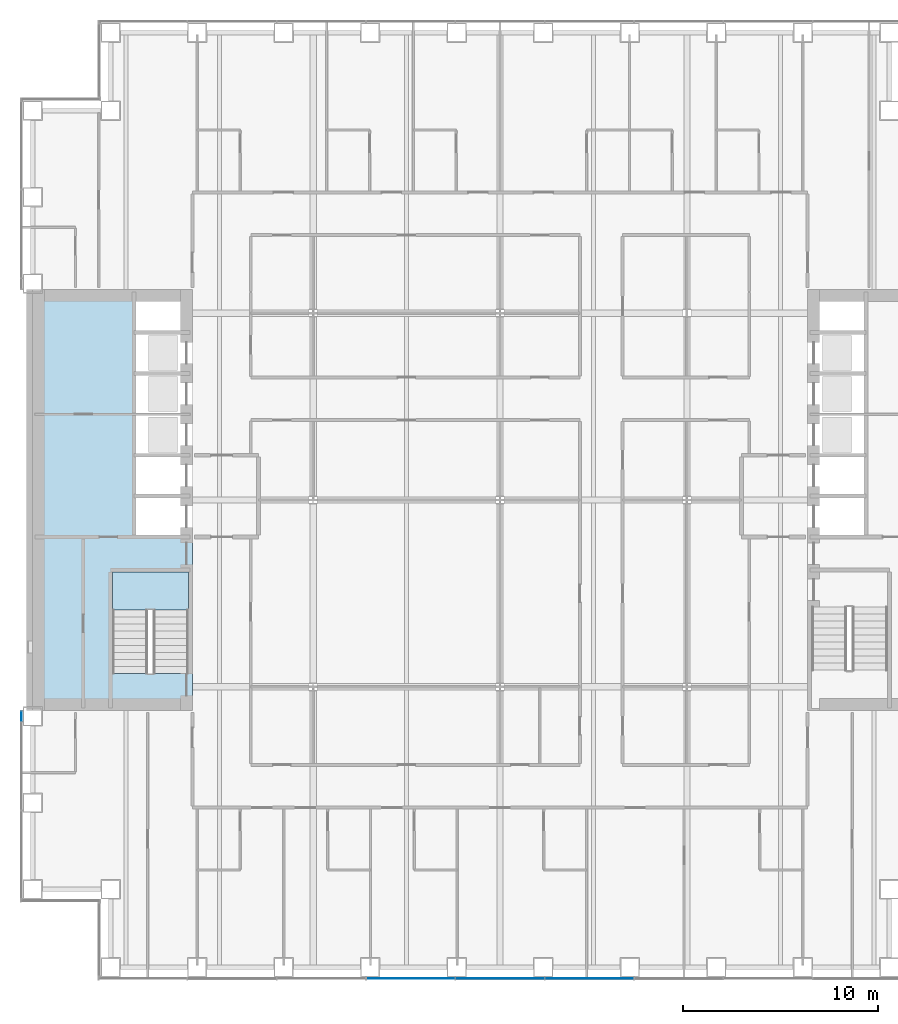
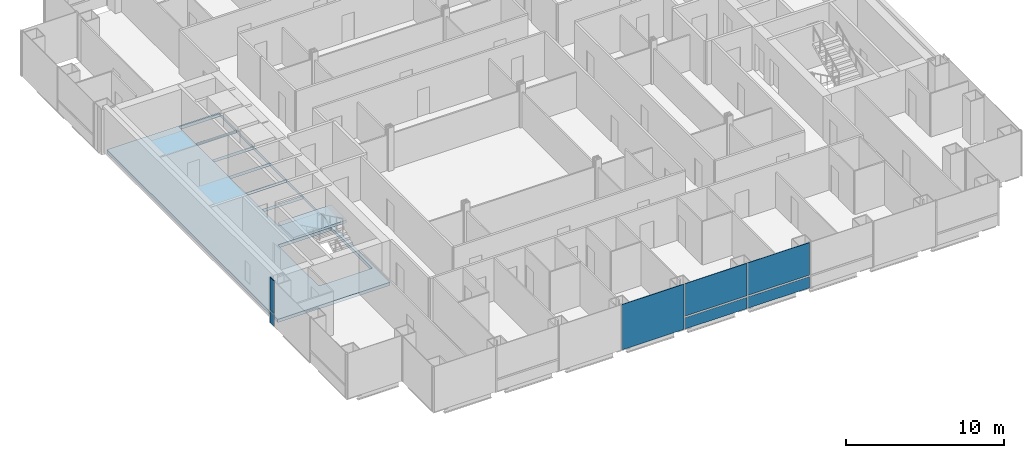
# One storey, part 12 of 23: 7 plates, 2 slabs, 3 elements without a shape of their own.
"""IFC4 building model written with IfcOpenShell, lengths in metres."""

from ifc_helpers import new_model, si_unit, direction, frame, origin, origin_2d, place, context, subcontext, project, spatial, polyline, rectangle, outline, extrude, material, layer, layer_set, type_object, element, aggregate, save


model = new_model("IFC4")

# Units and contexts
model_context = context("Model", 3, precision=1e-05, world=origin(), true_north=direction((0.0, 1.0)))
body_context = subcontext(model_context, "Body", "Model", "MODEL_VIEW")
ifc_project = project(units=[si_unit("LENGTHUNIT", "METRE"), si_unit("AREAUNIT", "SQUARE_METRE"), si_unit("VOLUMEUNIT", "CUBIC_METRE"), si_unit("PLANEANGLEUNIT", "RADIAN"), si_unit("MASSUNIT", "GRAM", prefix="KILO")], contexts=[model_context])

# Site, building, storey
site_placement = place(None, origin())
site = spatial("IfcSite", under=ifc_project, at=site_placement, CompositionType="ELEMENT")
building_placement = place(site_placement, origin())
building = spatial("IfcBuilding", under=site, at=building_placement, Name="Cobrizo Arcos Hotel Tower", CompositionType="ELEMENT")
storey_placement = place(building_placement, frame((0.0, 0.0, 49.5)))
storey = spatial("IfcBuildingStorey", under=building, at=storey_placement, Name="L10", CompositionType="ELEMENT", Elevation=49.5)

# Curtain wall, plates
ifc_material_1 = material(Name="Aluminium 6063-T6 anodised bronze", Category="aluminium")
curtain_wall_type = type_object("IfcCurtainWallType", Name="CW-A guest facade", PredefinedType="NOTDEFINED", material=ifc_material_1)
curtain_wall_1_placement = place(storey_placement, origin())
curtain_wall_1 = element("IfcCurtainWall", 1, at=curtain_wall_1_placement, inside=storey, type_object=curtain_wall_type, Name="CW-A L10 S face", PredefinedType="NOTDEFINED")
ifc_material_2 = material(Name="Glass clear laminated low-e", Category="glass")
ifc_layer_1 = layer(ifc_material_2, 0.0400390625)
ifc_layer_set_1 = layer_set([ifc_layer_1], Name="CW-A glass panel")
plate_type_1 = type_object("IfcPlateType", Name="CW-A glass panel", PredefinedType="CURTAIN_PANEL", material=ifc_layer_set_1)
plate_1_placement = place(storey_placement, frame((0.0, -24.574951171875, 0.990234375), z_axis=(0.0, 0.0, 1.0), x_axis=(1.0, 0.0, 0.0)))
plate_1 = element("IfcPlate", 2, at=plate_1_placement, type_object=plate_type_1, Name="CW-A glass panel 479", PredefinedType="CURTAIN_PANEL", context=body_context, shape_type="SweptSolid", body=[
    extrude(rectangle(XDim=4.52880859375, YDim=0.0400390625, at=origin_2d()), origin(), (0.0, 0.0, 1.0), 2.510009765625),
])
plate_2_placement = place(storey_placement, frame((4.5888671875, -24.574951171875, 0.990234375), z_axis=(0.0, 0.0, 1.0), x_axis=(1.0, 0.0, 0.0)))
plate_2 = element("IfcPlate", 3, at=plate_2_placement, type_object=plate_type_1, Name="CW-A glass panel 480", PredefinedType="CURTAIN_PANEL", context=body_context, shape_type="SweptSolid", body=[
    extrude(rectangle(XDim=4.52880859375, YDim=0.0400390625, at=origin_2d()), origin(), (0.0, 0.0, 1.0), 2.510009765625),
])

# Curtain wall, plate
curtain_wall_2_placement = place(storey_placement, origin())
curtain_wall_2 = element("IfcCurtainWall", 4, at=curtain_wall_2_placement, inside=storey, type_object=curtain_wall_type, Name="CW-A L10 W face", PredefinedType="NOTDEFINED")
plate_3_placement = place(storey_placement, frame((-24.574951171875, -11.109375, 0.990234375), z_axis=(0.0, 0.0, 1.0), x_axis=(0.0, -1.0, 0.0)))
plate_3 = element("IfcPlate", 5, at=plate_3_placement, type_object=plate_type_1, Name="CW-A glass panel 508", PredefinedType="CURTAIN_PANEL", context=body_context, shape_type="SweptSolid", body=[
    extrude(rectangle(XDim=0.498779296875, YDim=0.0400390625, at=origin_2d()), origin(), (0.0, 0.0, 1.0), 2.510009765625),
])

# Plate
ifc_material_3 = material(Name="Aluminium composite panel pale metal", Category="aluminium")
ifc_layer_2 = layer(ifc_material_3, 0.0400390625)
ifc_layer_set_2 = layer_set([ifc_layer_2], Name="CW-A spandrel panel")
plate_type_2 = type_object("IfcPlateType", Name="CW-A spandrel panel", PredefinedType="CURTAIN_PANEL", material=ifc_layer_set_2)
plate_4_placement = place(storey_placement, frame((-4.5888671875, -24.574951171875, 0.0), z_axis=(0.0, 0.0, 1.0), x_axis=(1.0, 0.0, 0.0)))
plate_4 = element("IfcPlate", 6, at=plate_4_placement, type_object=plate_type_2, Name="CW-A spandrel panel 478", PredefinedType="CURTAIN_PANEL", context=body_context, shape_type="SweptSolid", body=[
    extrude(rectangle(XDim=4.52880859375, YDim=0.0400390625, at=origin_2d()), origin(), (0.0, 0.0, 1.0), 3.5),
])

plate_5_placement = place(storey_placement, frame((0.0, -24.574951171875, 0.0), z_axis=(0.0, 0.0, 1.0), x_axis=(1.0, 0.0, 0.0)))
plate_5 = element("IfcPlate", 7, at=plate_5_placement, type_object=plate_type_2, Name="CW-A spandrel panel 479", PredefinedType="CURTAIN_PANEL", context=body_context, shape_type="SweptSolid", body=[
    extrude(rectangle(XDim=4.52880859375, YDim=0.0400390625, at=origin_2d()), origin(), (0.0, 0.0, 1.0), 0.8701171875),
])

plate_6_placement = place(storey_placement, frame((4.5888671875, -24.574951171875, 0.0), z_axis=(0.0, 0.0, 1.0), x_axis=(1.0, 0.0, 0.0)))
plate_6 = element("IfcPlate", 8, at=plate_6_placement, type_object=plate_type_2, Name="CW-A spandrel panel 480", PredefinedType="CURTAIN_PANEL", context=body_context, shape_type="SweptSolid", body=[
    extrude(rectangle(XDim=4.52880859375, YDim=0.0400390625, at=origin_2d()), origin(), (0.0, 0.0, 1.0), 0.8701171875),
])

aggregate(curtain_wall_1, [plate_4, plate_5, plate_1, plate_6, plate_2])

plate_7_placement = place(storey_placement, frame((-24.574951171875, -11.109375, 0.0), z_axis=(0.0, 0.0, 1.0), x_axis=(0.0, -1.0, 0.0)))
plate_7 = element("IfcPlate", 9, at=plate_7_placement, type_object=plate_type_2, Name="CW-A spandrel panel 508", PredefinedType="CURTAIN_PANEL", context=body_context, shape_type="SweptSolid", body=[
    extrude(rectangle(XDim=0.498779296875, YDim=0.0400390625, at=origin_2d()), origin(), (0.0, 0.0, 1.0), 0.8701171875),
])

aggregate(curtain_wall_2, [plate_7, plate_3])

# Slab
ifc_material_4 = material(Name="Concrete f'c 60 MPa", Category="concrete")
ifc_layer_3 = layer(ifc_material_4, 0.25)
ifc_layer_set_3 = layer_set([ifc_layer_3], Name="RC core floor slab 250 f'c 60")
slab_type_1 = type_object("IfcSlabType", Name="RC core floor slab 250 f'c 60", PredefinedType="FLOOR", material=ifc_layer_set_3)
slab_1_placement = place(storey_placement, frame((0.0, 0.0, -0.25)))
element("IfcSlab", 10, at=slab_1_placement, inside=storey, type_object=slab_type_1, Name="Core floor slab CS3, west core, L10", PredefinedType="FLOOR", context=body_context, shape_type="SweptSolid", body=[
    extrude(outline(polyline([(-24.0, 10.800048828125), (-15.800048828125, 10.800048828125), (-15.800048828125, -10.800048828125), (-24.0, -10.800048828125), (-24.0, 10.800048828125)]), holes=[polyline([(-19.89794921875, -3.701904296875), (-19.89794921875, -8.89794921875), (-16.001953125, -8.89794921875), (-16.001953125, -3.701904296875), (-19.89794921875, -3.701904296875)]), polyline([(-18.798095703125, 0.197998046875), (-18.798095703125, -1.89794921875), (-15.802001953125, -1.89794921875), (-15.802001953125, 0.197998046875), (-18.798095703125, 0.197998046875)]), polyline([(-15.802001953125, 2.298095703125), (-18.798095703125, 2.298095703125), (-18.798095703125, 0.201904296875), (-15.802001953125, 0.201904296875), (-15.802001953125, 2.298095703125)]), polyline([(-15.802001953125, 4.39794921875), (-18.798095703125, 4.39794921875), (-18.798095703125, 2.302001953125), (-15.802001953125, 2.302001953125), (-15.802001953125, 4.39794921875)]), polyline([(-18.798095703125, 6.498046875), (-18.798095703125, 4.402099609375), (-15.802001953125, 4.402099609375), (-15.802001953125, 6.498046875), (-18.798095703125, 6.498046875)]), polyline([(-15.802001953125, 8.597900390625), (-18.798095703125, 8.597900390625), (-18.798095703125, 6.501953125), (-15.802001953125, 6.501953125), (-15.802001953125, 8.597900390625)]), polyline([(-15.802001953125, 10.697998046875), (-18.798095703125, 10.697998046875), (-18.798095703125, 8.60205078125), (-15.802001953125, 8.60205078125), (-15.802001953125, 10.697998046875)])]), origin(), (0.0, 0.0, 1.0), 0.25),
])

# Stair, slab
ifc_material_5 = material(Name="Concrete f'c 40 MPa", Category="concrete")
stair_type = type_object("IfcStairType", Name="Exit stair", PredefinedType="HALF_TURN_STAIR", material=ifc_material_5)
stair_placement = place(storey_placement, origin())
stair = element("IfcStair", 11, at=stair_placement, inside=storey, type_object=stair_type, Name="L10 Exit stair ST-W", PredefinedType="HALF_TURN_STAIR")
ifc_layer_4 = layer(ifc_material_5, 0.199951171875)
ifc_layer_set_4 = layer_set([ifc_layer_4], Name="Stair landing")
slab_type_2 = type_object("IfcSlabType", Name="Stair landing", PredefinedType="LANDING", material=ifc_layer_set_4)
slab_2_placement = place(storey_placement, frame((0.0, 0.0, 1.550048828125)))
slab_2 = element("IfcSlab", 12, at=slab_2_placement, type_object=slab_type_2, Name="ST-W landing 1", PredefinedType="LANDING", context=body_context, shape_type="SweptSolid", body=[
    extrude(outline(polyline([(-16.0, -5.659912109375), (-16.0, -3.699951171875), (-19.89990234375, -3.699951171875), (-19.89990234375, -5.659912109375), (-16.0, -5.659912109375)])), origin(), (0.0, 0.0, 1.0), 0.199951171875),
])
aggregate(stair, [slab_2])

save(model, "model.ifc")
